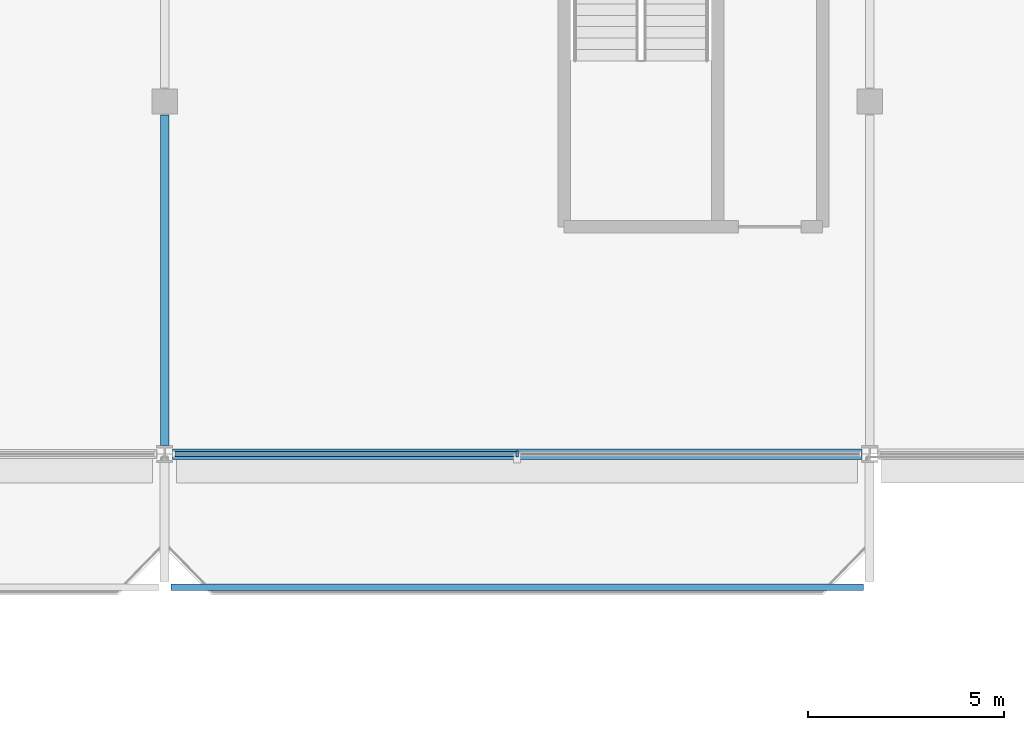
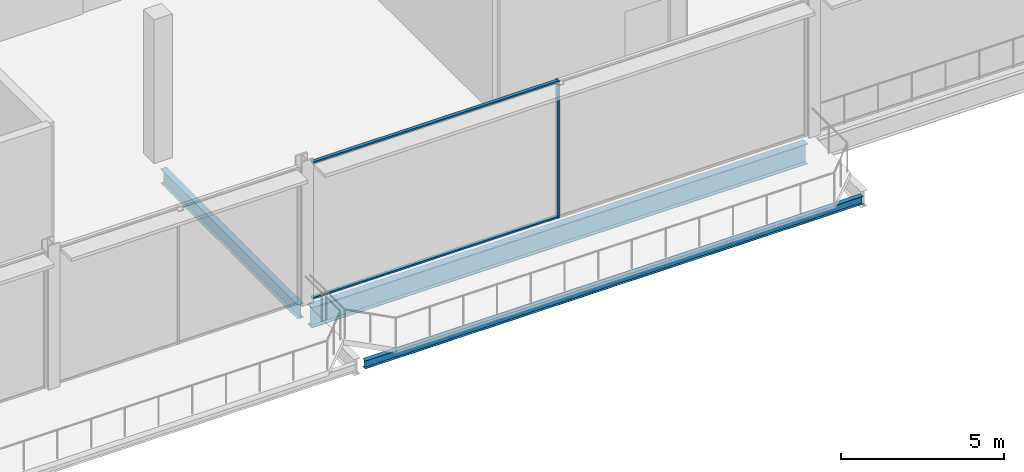
# One storey, part 39 of 113: 3 beams, 3 members, 1 element without a shape of its own.
"""IFC4 building model written with IfcOpenShell, lengths in metres."""

from ifc_helpers import new_model, si_unit, direction, frame, origin, origin_2d, place, context, subcontext, project, spatial, rectangle, i_section, extrude, material, layer, layer_set, material_profile, profile_set, type_object, element, aggregate, save


model = new_model("IFC4")

# Units and contexts
model_context = context("Model", 3, precision=1e-05, world=origin(), true_north=direction((0.0, 1.0)))
body_context = subcontext(model_context, "Body", "Model", "MODEL_VIEW")
ifc_project = project(units=[si_unit("LENGTHUNIT", "METRE"), si_unit("AREAUNIT", "SQUARE_METRE"), si_unit("VOLUMEUNIT", "CUBIC_METRE"), si_unit("PLANEANGLEUNIT", "RADIAN"), si_unit("MASSUNIT", "GRAM", prefix="KILO")], contexts=[model_context])

# Site, building, storey
site_placement = place(None, origin())
site = spatial("IfcSite", under=ifc_project, at=site_placement, CompositionType="ELEMENT")
building_placement = place(site_placement, origin())
building = spatial("IfcBuilding", under=site, at=building_placement, Name="Kisiwana Market Hall", CompositionType="ELEMENT")
storey_placement = place(building_placement, frame((0.0, 0.0, 6.0)))
storey = spatial("IfcBuildingStorey", under=building, at=storey_placement, Name="L01", CompositionType="ELEMENT", Elevation=6.0)

# Beams
ifc_material_1 = material(Name="Steel S355", Category="steel")
ifc_material_profile_1 = material_profile(ifc_material_1, i_section(OverallWidth=0.209228515625, OverallDepth=0.533203125, WebThickness=0.010009765625, FlangeThickness=0.015625, at=origin_2d()), Name="UB 533x210x92")
ifc_profile_set_1 = profile_set([ifc_material_profile_1], Name="Steel S355")
beam_type_1 = type_object("IfcBeamType", Name="BM-GIRD-UB533", PredefinedType="BEAM", material=ifc_profile_set_1)
beam_1_placement = place(storey_placement, frame((117.0, 84.21337890625, -0.5166015625), z_axis=(0.0, 1.0, 0.0), x_axis=(-1.0, 0.0, 0.0)))
element("IfcBeam", 1, at=beam_1_placement, inside=storey, type_object=beam_type_1, Name="Primary girder B-0382", PredefinedType="BEAM", context=body_context, shape_type="SweptSolid", body=[
    extrude(i_section(OverallWidth=0.209228515625, OverallDepth=0.533203125, WebThickness=0.010009765625, FlangeThickness=0.015625, at=origin_2d()), origin(), (0.0, 0.0, 1.0), 8.440673828125),
])
ifc_material_2 = material(Name="Steel S355", Category="steel")
ifc_material_profile_2 = material_profile(ifc_material_2, i_section(OverallWidth=0.2666015625, OverallDepth=0.76220703125, WebThickness=0.014404296875, FlangeThickness=0.021484375, at=origin_2d()), Name="UB 762x267x173")
ifc_profile_set_2 = profile_set([ifc_material_profile_2], Name="Steel S355")
beam_type_2 = type_object("IfcBeamType", Name="BM-GIRD-UB762", PredefinedType="BEAM", material=ifc_profile_set_2)
beam_2_placement = place(storey_placement, frame((117.201904296875, 84.0, -0.631103515625), z_axis=(1.0, 0.0, 0.0), x_axis=(0.0, 1.0, 0.0)))
element("IfcBeam", 2, at=beam_2_placement, inside=storey, type_object=beam_type_2, Name="Floor beam B-0513", PredefinedType="BEAM", context=body_context, shape_type="SweptSolid", body=[
    extrude(i_section(OverallWidth=0.2666015625, OverallDepth=0.76220703125, WebThickness=0.014404296875, FlangeThickness=0.021484375, at=origin_2d()), origin(), (0.0, 0.0, 1.0), 17.59619140625),
])
ifc_material_3 = material(Name="Steel S355", Category="steel")
ifc_material_profile_3 = material_profile(ifc_material_3, i_section(OverallWidth=0.1650390625, OverallDepth=0.303466796875, WebThickness=0.006103515625, FlangeThickness=0.01025390625, at=origin_2d()), Name="UB 305x165x40")
ifc_profile_set_3 = profile_set([ifc_material_profile_3], Name="Steel S355")
beam_type_3 = type_object("IfcBeamType", Name="BM-JOIST-UB305", PredefinedType="JOIST", material=ifc_profile_set_3)
beam_3_placement = place(storey_placement, frame((117.159912109375, 80.60009765625, -0.351806640625), z_axis=(1.0, 0.0, 0.0), x_axis=(0.0, 1.0, 0.0)))
element("IfcBeam", 3, at=beam_3_placement, inside=storey, type_object=beam_type_3, Name="Prow edge tie B-0596", PredefinedType="JOIST", context=body_context, shape_type="SweptSolid", body=[
    extrude(i_section(OverallWidth=0.1650390625, OverallDepth=0.303466796875, WebThickness=0.006103515625, FlangeThickness=0.01025390625, at=origin_2d()), origin(), (0.0, 0.0, 1.0), 17.68017578125),
])

# Curtain wall, members
ifc_material_4 = material(Name="Double-glazed solar-control low-E IGU", Category="glass")
ifc_layer = layer(ifc_material_4, 0.159912109375)
ifc_layer_set = layer_set([ifc_layer], Name="CW-FC-S-7600")
curtain_wall_type = type_object("IfcCurtainWallType", Name="CW-FC-S-7600", PredefinedType="USERDEFINED", material=ifc_layer_set)
curtain_wall_placement = place(storey_placement, origin())
curtain_wall = element("IfcCurtainWall", 4, at=curtain_wall_placement, inside=storey, type_object=curtain_wall_type, Name="Unitised curtain wall CW-031 (L01)", ObjectType="UNITISED CURTAIN WALL", PredefinedType="USERDEFINED")
ifc_material_5 = material(Name="Aluminium alloy 6063-T6", Category="aluminium")
ifc_material_profile_4 = material_profile(ifc_material_5, rectangle(XDim=0.06005859375, YDim=0.159912109375, at=origin_2d()), Name="ALU MULLION 60x160")
ifc_profile_set_4 = profile_set([ifc_material_profile_4], Name="Aluminium alloy 6063-T6")
member_type_1 = type_object("IfcMemberType", Name="CW-MULL-60x160", PredefinedType="MULLION", material=ifc_profile_set_4)
member_1_placement = place(storey_placement, frame((126.0, 84.0, 0.0), z_axis=(0.0, 0.0, 1.0), x_axis=(1.0, 0.0, 0.0)))
member_1 = element("IfcMember", 5, at=member_1_placement, type_object=member_type_1, Name="CW-031 mullion 2", PredefinedType="MULLION", context=body_context, shape_type="SweptSolid", body=[
    extrude(rectangle(XDim=0.06005859375, YDim=0.159912109375, at=origin_2d()), origin(), (0.0, 0.0, 1.0), 5.14990234375),
])
ifc_material_6 = material(Name="Aluminium alloy 6063-T6", Category="aluminium")
ifc_material_profile_5 = material_profile(ifc_material_6, rectangle(XDim=0.1201171875, YDim=0.06005859375, at=origin_2d()), Name="ALU TRANSOM 60x120")
ifc_profile_set_5 = profile_set([ifc_material_profile_5], Name="Aluminium alloy 6063-T6")
member_type_2 = type_object("IfcMemberType", Name="CW-TRAN-60x120", PredefinedType="USERDEFINED", material=ifc_profile_set_5)
member_2_placement = place(storey_placement, frame((117.26611328125, 84.0, 0.030029296875), z_axis=(1.0, 0.0, 0.0), x_axis=(0.0, 1.0, 0.0)))
member_2 = element("IfcMember", 6, at=member_2_placement, type_object=member_type_2, Name="CW-031 transom 1.1", ObjectType="TRANSOM", PredefinedType="USERDEFINED", context=body_context, shape_type="SweptSolid", body=[
    extrude(rectangle(XDim=0.1201171875, YDim=0.06005859375, at=origin_2d()), origin(), (0.0, 0.0, 1.0), 8.703857421875),
])
member_3_placement = place(storey_placement, frame((117.26611328125, 84.0, 5.1201171875), z_axis=(1.0, 0.0, 0.0), x_axis=(0.0, 1.0, 0.0)))
member_3 = element("IfcMember", 7, at=member_3_placement, type_object=member_type_2, Name="CW-031 transom 1.2", ObjectType="TRANSOM", PredefinedType="USERDEFINED", context=body_context, shape_type="SweptSolid", body=[
    extrude(rectangle(XDim=0.1201171875, YDim=0.06005859375, at=origin_2d()), origin(), (0.0, 0.0, 1.0), 8.703857421875),
])
aggregate(curtain_wall, [member_1, member_2, member_3])

save(model, "model.ifc")
